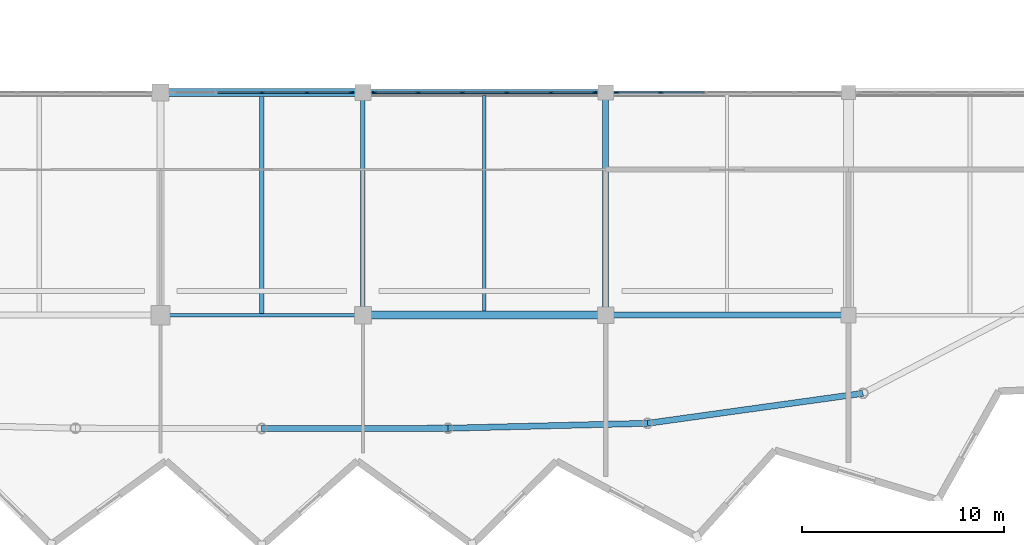
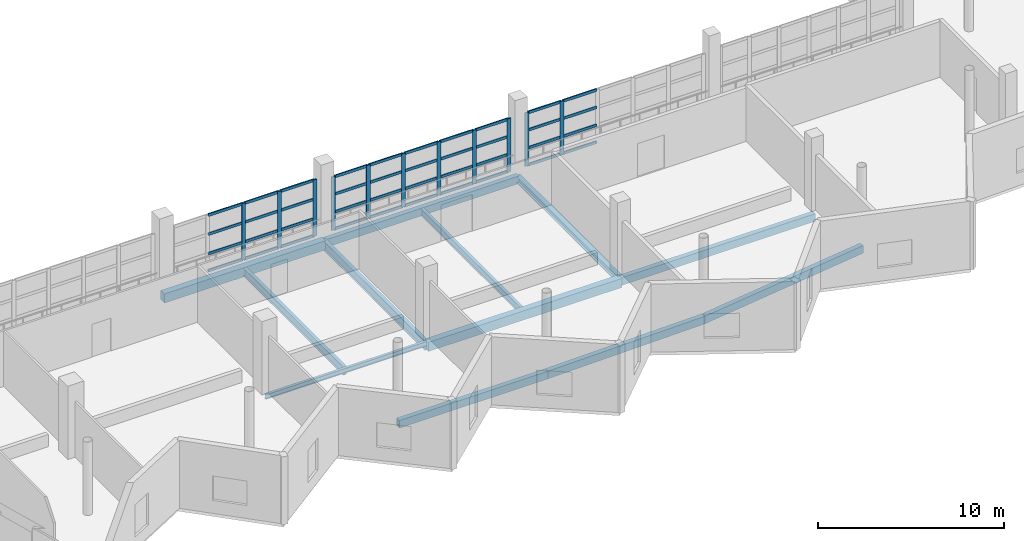
# One storey, part 16 of 53: 51 members, 12 beams, 3 elements without a shape of their own.
"""IFC4 building model written with IfcOpenShell, lengths in metres."""

from ifc_helpers import new_model, si_unit, direction, frame, origin, origin_2d, place, context, subcontext, project, spatial, rectangle, hollow_rectangle, i_section, extrude, material, material_profile, profile_set, type_object, element, aggregate, save


model = new_model("IFC4")

# Units and contexts
model_context = context("Model", 3, precision=1e-05, world=origin(), true_north=direction((0.0, 1.0)))
body_context = subcontext(model_context, "Body", "Model", "MODEL_VIEW")
ifc_project = project(units=[si_unit("LENGTHUNIT", "METRE"), si_unit("AREAUNIT", "SQUARE_METRE"), si_unit("VOLUMEUNIT", "CUBIC_METRE"), si_unit("PLANEANGLEUNIT", "RADIAN"), si_unit("MASSUNIT", "GRAM", prefix="KILO")], contexts=[model_context])

# Site, building, storey
site_placement = place(None, origin())
site = spatial("IfcSite", under=ifc_project, at=site_placement, CompositionType="ELEMENT")
building_placement = place(site_placement, origin())
building = spatial("IfcBuilding", under=site, at=building_placement, Name="Luwafu Chhajja Arena", CompositionType="ELEMENT")
storey_placement = place(building_placement, frame((0.0, 0.0, 19.5)))
storey = spatial("IfcBuildingStorey", under=building, at=storey_placement, Name="L04", CompositionType="ELEMENT", Elevation=19.5)

# Curtain wall, members
ifc_material_1 = material(Name="Anodised bronze aluminium", Category="aluminium")
curtain_wall_type = type_object("IfcCurtainWallType", Name="Media Ribbon Curtain Wall", PredefinedType="USERDEFINED", material=ifc_material_1)
curtain_wall_1_placement = place(storey_placement, origin())
curtain_wall_1 = element("IfcCurtainWall", 1, at=curtain_wall_1_placement, inside=storey, type_object=curtain_wall_type, Name="L04 Bowl Viewing Curtain Wall CWR-L04-04", ObjectType="CURTAIN WALL", PredefinedType="USERDEFINED")
ifc_material_profile_1 = material_profile(ifc_material_1, rectangle(XDim=0.070068359375, YDim=0.239990234375, at=origin_2d()), Name="CWM 70x240")
ifc_profile_set_1 = profile_set([ifc_material_profile_1], Name="Anodised bronze aluminium")
member_type_1 = type_object("IfcMemberType", Name="Bronze Curtain Wall Mullion 70x240", PredefinedType="MULLION", material=ifc_profile_set_1)
member_1_placement = place(storey_placement, frame((99.012451171875, 22.0, 0.0), z_axis=(0.0, 0.0, 1.0), x_axis=(0.0, 1.0, 0.0)))
member_1 = element("IfcMember", 2, at=member_1_placement, type_object=member_type_1, Name="CW-03 mullion 3", PredefinedType="MULLION", context=body_context, shape_type="SweptSolid", body=[
    extrude(rectangle(XDim=0.070068359375, YDim=0.239990234375, at=origin_2d()), origin(), (0.0, 0.0, 1.0), 3.70654296875),
])
member_2_placement = place(storey_placement, frame((101.236328125, 22.0, 0.0), z_axis=(0.0, 0.0, 1.0), x_axis=(0.0, 1.0, 0.0)))
member_2 = element("IfcMember", 3, at=member_2_placement, type_object=member_type_1, Name="CW-03 mullion 4", PredefinedType="MULLION", context=body_context, shape_type="SweptSolid", body=[
    extrude(rectangle(XDim=0.070068359375, YDim=0.239990234375, at=origin_2d()), origin(), (0.0, 0.0, 1.0), 3.70654296875),
])
member_3_placement = place(storey_placement, frame((103.425048828125, 22.0, 0.0), z_axis=(0.0, 0.0, 1.0), x_axis=(0.0, 1.0, 0.0)))
member_3 = element("IfcMember", 4, at=member_3_placement, type_object=member_type_1, Name="CW-03 mullion 5", PredefinedType="MULLION", context=body_context, shape_type="SweptSolid", body=[
    extrude(rectangle(XDim=0.070068359375, YDim=0.239990234375, at=origin_2d()), origin(), (0.0, 0.0, 1.0), 3.70654296875),
])

curtain_wall_2_placement = place(storey_placement, origin())
curtain_wall_2 = element("IfcCurtainWall", 5, at=curtain_wall_2_placement, inside=storey, type_object=curtain_wall_type, Name="L04 Bowl Viewing Curtain Wall CWR-L04-05", ObjectType="CURTAIN WALL", PredefinedType="USERDEFINED")
member_4_placement = place(storey_placement, frame((104.574951171875, 22.0, 0.0), z_axis=(0.0, 0.0, 1.0), x_axis=(0.0, 1.0, 0.0)))
member_4 = element("IfcMember", 6, at=member_4_placement, type_object=member_type_1, Name="CW-03 mullion 1", PredefinedType="MULLION", context=body_context, shape_type="SweptSolid", body=[
    extrude(rectangle(XDim=0.070068359375, YDim=0.239990234375, at=origin_2d()), origin(), (0.0, 0.0, 1.0), 3.489990234375),
])
member_5_placement = place(storey_placement, frame((106.72900390625, 22.0, 0.0), z_axis=(0.0, 0.0, 1.0), x_axis=(0.0, 1.0, 0.0)))
member_5 = element("IfcMember", 7, at=member_5_placement, type_object=member_type_1, Name="CW-03 mullion 2", PredefinedType="MULLION", context=body_context, shape_type="SweptSolid", body=[
    extrude(rectangle(XDim=0.070068359375, YDim=0.239990234375, at=origin_2d()), origin(), (0.0, 0.0, 1.0), 3.489990234375),
])
member_6_placement = place(storey_placement, frame((108.91796875, 22.0, 0.0), z_axis=(0.0, 0.0, 1.0), x_axis=(0.0, 1.0, 0.0)))
member_6 = element("IfcMember", 8, at=member_6_placement, type_object=member_type_1, Name="CW-03 mullion 3", PredefinedType="MULLION", context=body_context, shape_type="SweptSolid", body=[
    extrude(rectangle(XDim=0.070068359375, YDim=0.239990234375, at=origin_2d()), origin(), (0.0, 0.0, 1.0), 3.489990234375),
])
member_7_placement = place(storey_placement, frame((111.10693359375, 22.0, 0.0), z_axis=(0.0, 0.0, 1.0), x_axis=(0.0, 1.0, 0.0)))
member_7 = element("IfcMember", 9, at=member_7_placement, type_object=member_type_1, Name="CW-03 mullion 4", PredefinedType="MULLION", context=body_context, shape_type="SweptSolid", body=[
    extrude(rectangle(XDim=0.070068359375, YDim=0.239990234375, at=origin_2d()), origin(), (0.0, 0.0, 1.0), 3.489990234375),
])
member_8_placement = place(storey_placement, frame((113.2958984375, 22.0, 0.0), z_axis=(0.0, 0.0, 1.0), x_axis=(0.0, 1.0, 0.0)))
member_8 = element("IfcMember", 10, at=member_8_placement, type_object=member_type_1, Name="CW-03 mullion 5", PredefinedType="MULLION", context=body_context, shape_type="SweptSolid", body=[
    extrude(rectangle(XDim=0.070068359375, YDim=0.239990234375, at=origin_2d()), origin(), (0.0, 0.0, 1.0), 3.489990234375),
])
member_9_placement = place(storey_placement, frame((115.449951171875, 22.0, 0.0), z_axis=(0.0, 0.0, 1.0), x_axis=(0.0, 1.0, 0.0)))
member_9 = element("IfcMember", 11, at=member_9_placement, type_object=member_type_1, Name="CW-03 mullion 6", PredefinedType="MULLION", context=body_context, shape_type="SweptSolid", body=[
    extrude(rectangle(XDim=0.070068359375, YDim=0.239990234375, at=origin_2d()), origin(), (0.0, 0.0, 1.0), 3.489990234375),
])

curtain_wall_3_placement = place(storey_placement, origin())
curtain_wall_3 = element("IfcCurtainWall", 12, at=curtain_wall_3_placement, inside=storey, type_object=curtain_wall_type, Name="L04 Bowl Viewing Curtain Wall CWR-L04-06", ObjectType="CURTAIN WALL", PredefinedType="USERDEFINED")
member_10_placement = place(storey_placement, frame((116.550048828125, 22.0, 0.0), z_axis=(0.0, 0.0, 1.0), x_axis=(0.0, 1.0, 0.0)))
member_10 = element("IfcMember", 13, at=member_10_placement, type_object=member_type_1, Name="CW-03 mullion 1", PredefinedType="MULLION", context=body_context, shape_type="SweptSolid", body=[
    extrude(rectangle(XDim=0.070068359375, YDim=0.239990234375, at=origin_2d()), origin(), (0.0, 0.0, 1.0), 3.489990234375),
])
member_11_placement = place(storey_placement, frame((118.714111328125, 22.0, 0.0), z_axis=(0.0, 0.0, 1.0), x_axis=(0.0, 1.0, 0.0)))
member_11 = element("IfcMember", 14, at=member_11_placement, type_object=member_type_1, Name="CW-03 mullion 2", PredefinedType="MULLION", context=body_context, shape_type="SweptSolid", body=[
    extrude(rectangle(XDim=0.070068359375, YDim=0.239990234375, at=origin_2d()), origin(), (0.0, 0.0, 1.0), 3.489990234375),
])

# Member
ifc_material_profile_2 = material_profile(ifc_material_1, rectangle(XDim=0.070068359375, YDim=0.179931640625, at=origin_2d()), Name="CWT 70x180")
ifc_profile_set_2 = profile_set([ifc_material_profile_2], Name="Anodised bronze aluminium")
member_type_2 = type_object("IfcMemberType", Name="Bronze Curtain Wall Transom 70x180", PredefinedType="USERDEFINED", material=ifc_profile_set_2)
member_12_placement = place(storey_placement, frame((96.82373046875, 22.0, 0.034912109375), z_axis=(1.0, 0.0, 0.0), x_axis=(0.0, 1.0, 0.0)))
member_12 = element("IfcMember", 15, at=member_12_placement, type_object=member_type_2, Name="CW-03 transom 2.1", ObjectType="TRANSOM", PredefinedType="USERDEFINED", context=body_context, shape_type="SweptSolid", body=[
    extrude(rectangle(XDim=0.070068359375, YDim=0.179931640625, at=origin_2d()), origin(), (0.0, 0.0, 1.0), 2.15380859375),
])

member_13_placement = place(storey_placement, frame((96.82373046875, 22.0, 1.14990234375), z_axis=(1.0, 0.0, 0.0), x_axis=(0.0, 1.0, 0.0)))
member_13 = element("IfcMember", 16, at=member_13_placement, type_object=member_type_2, Name="CW-03 transom 2.2", ObjectType="TRANSOM", PredefinedType="USERDEFINED", context=body_context, shape_type="SweptSolid", body=[
    extrude(rectangle(XDim=0.070068359375, YDim=0.179931640625, at=origin_2d()), origin(), (0.0, 0.0, 1.0), 2.15380859375),
])

member_14_placement = place(storey_placement, frame((96.82373046875, 22.0, 2.42822265625), z_axis=(1.0, 0.0, 0.0), x_axis=(0.0, 1.0, 0.0)))
member_14 = element("IfcMember", 17, at=member_14_placement, type_object=member_type_2, Name="CW-03 transom 2.3", ObjectType="TRANSOM", PredefinedType="USERDEFINED", context=body_context, shape_type="SweptSolid", body=[
    extrude(rectangle(XDim=0.070068359375, YDim=0.179931640625, at=origin_2d()), origin(), (0.0, 0.0, 1.0), 2.15380859375),
])

member_15_placement = place(storey_placement, frame((96.82373046875, 22.0, 3.67138671875), z_axis=(1.0, 0.0, 0.0), x_axis=(0.0, 1.0, 0.0)))
member_15 = element("IfcMember", 18, at=member_15_placement, type_object=member_type_2, Name="CW-03 transom 2.4", ObjectType="TRANSOM", PredefinedType="USERDEFINED", context=body_context, shape_type="SweptSolid", body=[
    extrude(rectangle(XDim=0.070068359375, YDim=0.179931640625, at=origin_2d()), origin(), (0.0, 0.0, 1.0), 2.15380859375),
])

member_16_placement = place(storey_placement, frame((99.047607421875, 22.0, 0.034912109375), z_axis=(1.0, 0.0, 0.0), x_axis=(0.0, 1.0, 0.0)))
member_16 = element("IfcMember", 19, at=member_16_placement, type_object=member_type_2, Name="CW-03 transom 3.1", ObjectType="TRANSOM", PredefinedType="USERDEFINED", context=body_context, shape_type="SweptSolid", body=[
    extrude(rectangle(XDim=0.070068359375, YDim=0.179931640625, at=origin_2d()), origin(), (0.0, 0.0, 1.0), 2.153564453125),
])

member_17_placement = place(storey_placement, frame((99.047607421875, 22.0, 1.14990234375), z_axis=(1.0, 0.0, 0.0), x_axis=(0.0, 1.0, 0.0)))
member_17 = element("IfcMember", 20, at=member_17_placement, type_object=member_type_2, Name="CW-03 transom 3.2", ObjectType="TRANSOM", PredefinedType="USERDEFINED", context=body_context, shape_type="SweptSolid", body=[
    extrude(rectangle(XDim=0.070068359375, YDim=0.179931640625, at=origin_2d()), origin(), (0.0, 0.0, 1.0), 2.153564453125),
])

member_18_placement = place(storey_placement, frame((99.047607421875, 22.0, 2.42822265625), z_axis=(1.0, 0.0, 0.0), x_axis=(0.0, 1.0, 0.0)))
member_18 = element("IfcMember", 21, at=member_18_placement, type_object=member_type_2, Name="CW-03 transom 3.3", ObjectType="TRANSOM", PredefinedType="USERDEFINED", context=body_context, shape_type="SweptSolid", body=[
    extrude(rectangle(XDim=0.070068359375, YDim=0.179931640625, at=origin_2d()), origin(), (0.0, 0.0, 1.0), 2.153564453125),
])

member_19_placement = place(storey_placement, frame((99.047607421875, 22.0, 3.67138671875), z_axis=(1.0, 0.0, 0.0), x_axis=(0.0, 1.0, 0.0)))
member_19 = element("IfcMember", 22, at=member_19_placement, type_object=member_type_2, Name="CW-03 transom 3.4", ObjectType="TRANSOM", PredefinedType="USERDEFINED", context=body_context, shape_type="SweptSolid", body=[
    extrude(rectangle(XDim=0.070068359375, YDim=0.179931640625, at=origin_2d()), origin(), (0.0, 0.0, 1.0), 2.153564453125),
])

member_20_placement = place(storey_placement, frame((101.271240234375, 22.0, 0.034912109375), z_axis=(1.0, 0.0, 0.0), x_axis=(0.0, 1.0, 0.0)))
member_20 = element("IfcMember", 23, at=member_20_placement, type_object=member_type_2, Name="CW-03 transom 4.1", ObjectType="TRANSOM", PredefinedType="USERDEFINED", context=body_context, shape_type="SweptSolid", body=[
    extrude(rectangle(XDim=0.070068359375, YDim=0.179931640625, at=origin_2d()), origin(), (0.0, 0.0, 1.0), 2.11865234375),
])

member_21_placement = place(storey_placement, frame((101.271240234375, 22.0, 1.14990234375), z_axis=(1.0, 0.0, 0.0), x_axis=(0.0, 1.0, 0.0)))
member_21 = element("IfcMember", 24, at=member_21_placement, type_object=member_type_2, Name="CW-03 transom 4.2", ObjectType="TRANSOM", PredefinedType="USERDEFINED", context=body_context, shape_type="SweptSolid", body=[
    extrude(rectangle(XDim=0.070068359375, YDim=0.179931640625, at=origin_2d()), origin(), (0.0, 0.0, 1.0), 2.11865234375),
])

member_22_placement = place(storey_placement, frame((101.271240234375, 22.0, 2.42822265625), z_axis=(1.0, 0.0, 0.0), x_axis=(0.0, 1.0, 0.0)))
member_22 = element("IfcMember", 25, at=member_22_placement, type_object=member_type_2, Name="CW-03 transom 4.3", ObjectType="TRANSOM", PredefinedType="USERDEFINED", context=body_context, shape_type="SweptSolid", body=[
    extrude(rectangle(XDim=0.070068359375, YDim=0.179931640625, at=origin_2d()), origin(), (0.0, 0.0, 1.0), 2.11865234375),
])

member_23_placement = place(storey_placement, frame((101.271240234375, 22.0, 3.67138671875), z_axis=(1.0, 0.0, 0.0), x_axis=(0.0, 1.0, 0.0)))
member_23 = element("IfcMember", 26, at=member_23_placement, type_object=member_type_2, Name="CW-03 transom 4.4", ObjectType="TRANSOM", PredefinedType="USERDEFINED", context=body_context, shape_type="SweptSolid", body=[
    extrude(rectangle(XDim=0.070068359375, YDim=0.179931640625, at=origin_2d()), origin(), (0.0, 0.0, 1.0), 2.11865234375),
])

aggregate(curtain_wall_1, [member_1, member_2, member_3, member_12, member_13, member_14, member_15, member_16, member_17, member_18, member_19, member_20, member_21, member_22, member_23])

member_24_placement = place(storey_placement, frame((104.610107421875, 22.0, 0.034912109375), z_axis=(1.0, 0.0, 0.0), x_axis=(0.0, 1.0, 0.0)))
member_24 = element("IfcMember", 27, at=member_24_placement, type_object=member_type_2, Name="CW-03 transom 1.1", ObjectType="TRANSOM", PredefinedType="USERDEFINED", context=body_context, shape_type="SweptSolid", body=[
    extrude(rectangle(XDim=0.070068359375, YDim=0.179931640625, at=origin_2d()), origin(), (0.0, 0.0, 1.0), 2.083984375),
])

member_25_placement = place(storey_placement, frame((104.610107421875, 22.0, 1.14990234375), z_axis=(1.0, 0.0, 0.0), x_axis=(0.0, 1.0, 0.0)))
member_25 = element("IfcMember", 28, at=member_25_placement, type_object=member_type_2, Name="CW-03 transom 1.2", ObjectType="TRANSOM", PredefinedType="USERDEFINED", context=body_context, shape_type="SweptSolid", body=[
    extrude(rectangle(XDim=0.070068359375, YDim=0.179931640625, at=origin_2d()), origin(), (0.0, 0.0, 1.0), 2.083984375),
])

member_26_placement = place(storey_placement, frame((104.610107421875, 22.0, 2.320068359375), z_axis=(1.0, 0.0, 0.0), x_axis=(0.0, 1.0, 0.0)))
member_26 = element("IfcMember", 29, at=member_26_placement, type_object=member_type_2, Name="CW-03 transom 1.3", ObjectType="TRANSOM", PredefinedType="USERDEFINED", context=body_context, shape_type="SweptSolid", body=[
    extrude(rectangle(XDim=0.070068359375, YDim=0.179931640625, at=origin_2d()), origin(), (0.0, 0.0, 1.0), 2.083984375),
])

member_27_placement = place(storey_placement, frame((104.610107421875, 22.0, 3.455078125), z_axis=(1.0, 0.0, 0.0), x_axis=(0.0, 1.0, 0.0)))
member_27 = element("IfcMember", 30, at=member_27_placement, type_object=member_type_2, Name="CW-03 transom 1.4", ObjectType="TRANSOM", PredefinedType="USERDEFINED", context=body_context, shape_type="SweptSolid", body=[
    extrude(rectangle(XDim=0.070068359375, YDim=0.179931640625, at=origin_2d()), origin(), (0.0, 0.0, 1.0), 2.083984375),
])

member_28_placement = place(storey_placement, frame((106.763916015625, 22.0, 0.034912109375), z_axis=(1.0, 0.0, 0.0), x_axis=(0.0, 1.0, 0.0)))
member_28 = element("IfcMember", 31, at=member_28_placement, type_object=member_type_2, Name="CW-03 transom 2.1", ObjectType="TRANSOM", PredefinedType="USERDEFINED", context=body_context, shape_type="SweptSolid", body=[
    extrude(rectangle(XDim=0.070068359375, YDim=0.179931640625, at=origin_2d()), origin(), (0.0, 0.0, 1.0), 2.119140625),
])

member_29_placement = place(storey_placement, frame((106.763916015625, 22.0, 1.14990234375), z_axis=(1.0, 0.0, 0.0), x_axis=(0.0, 1.0, 0.0)))
member_29 = element("IfcMember", 32, at=member_29_placement, type_object=member_type_2, Name="CW-03 transom 2.2", ObjectType="TRANSOM", PredefinedType="USERDEFINED", context=body_context, shape_type="SweptSolid", body=[
    extrude(rectangle(XDim=0.070068359375, YDim=0.179931640625, at=origin_2d()), origin(), (0.0, 0.0, 1.0), 2.119140625),
])

member_30_placement = place(storey_placement, frame((106.763916015625, 22.0, 2.320068359375), z_axis=(1.0, 0.0, 0.0), x_axis=(0.0, 1.0, 0.0)))
member_30 = element("IfcMember", 33, at=member_30_placement, type_object=member_type_2, Name="CW-03 transom 2.3", ObjectType="TRANSOM", PredefinedType="USERDEFINED", context=body_context, shape_type="SweptSolid", body=[
    extrude(rectangle(XDim=0.070068359375, YDim=0.179931640625, at=origin_2d()), origin(), (0.0, 0.0, 1.0), 2.119140625),
])

member_31_placement = place(storey_placement, frame((106.763916015625, 22.0, 3.455078125), z_axis=(1.0, 0.0, 0.0), x_axis=(0.0, 1.0, 0.0)))
member_31 = element("IfcMember", 34, at=member_31_placement, type_object=member_type_2, Name="CW-03 transom 2.4", ObjectType="TRANSOM", PredefinedType="USERDEFINED", context=body_context, shape_type="SweptSolid", body=[
    extrude(rectangle(XDim=0.070068359375, YDim=0.179931640625, at=origin_2d()), origin(), (0.0, 0.0, 1.0), 2.119140625),
])

member_32_placement = place(storey_placement, frame((108.952880859375, 22.0, 0.034912109375), z_axis=(1.0, 0.0, 0.0), x_axis=(0.0, 1.0, 0.0)))
member_32 = element("IfcMember", 35, at=member_32_placement, type_object=member_type_2, Name="CW-03 transom 3.1", ObjectType="TRANSOM", PredefinedType="USERDEFINED", context=body_context, shape_type="SweptSolid", body=[
    extrude(rectangle(XDim=0.070068359375, YDim=0.179931640625, at=origin_2d()), origin(), (0.0, 0.0, 1.0), 2.119140625),
])

member_33_placement = place(storey_placement, frame((108.952880859375, 22.0, 1.14990234375), z_axis=(1.0, 0.0, 0.0), x_axis=(0.0, 1.0, 0.0)))
member_33 = element("IfcMember", 36, at=member_33_placement, type_object=member_type_2, Name="CW-03 transom 3.2", ObjectType="TRANSOM", PredefinedType="USERDEFINED", context=body_context, shape_type="SweptSolid", body=[
    extrude(rectangle(XDim=0.070068359375, YDim=0.179931640625, at=origin_2d()), origin(), (0.0, 0.0, 1.0), 2.119140625),
])

member_34_placement = place(storey_placement, frame((108.952880859375, 22.0, 2.320068359375), z_axis=(1.0, 0.0, 0.0), x_axis=(0.0, 1.0, 0.0)))
member_34 = element("IfcMember", 37, at=member_34_placement, type_object=member_type_2, Name="CW-03 transom 3.3", ObjectType="TRANSOM", PredefinedType="USERDEFINED", context=body_context, shape_type="SweptSolid", body=[
    extrude(rectangle(XDim=0.070068359375, YDim=0.179931640625, at=origin_2d()), origin(), (0.0, 0.0, 1.0), 2.119140625),
])

member_35_placement = place(storey_placement, frame((108.952880859375, 22.0, 3.455078125), z_axis=(1.0, 0.0, 0.0), x_axis=(0.0, 1.0, 0.0)))
member_35 = element("IfcMember", 38, at=member_35_placement, type_object=member_type_2, Name="CW-03 transom 3.4", ObjectType="TRANSOM", PredefinedType="USERDEFINED", context=body_context, shape_type="SweptSolid", body=[
    extrude(rectangle(XDim=0.070068359375, YDim=0.179931640625, at=origin_2d()), origin(), (0.0, 0.0, 1.0), 2.119140625),
])

member_36_placement = place(storey_placement, frame((111.14208984375, 22.0, 0.034912109375), z_axis=(1.0, 0.0, 0.0), x_axis=(0.0, 1.0, 0.0)))
member_36 = element("IfcMember", 39, at=member_36_placement, type_object=member_type_2, Name="CW-03 transom 4.1", ObjectType="TRANSOM", PredefinedType="USERDEFINED", context=body_context, shape_type="SweptSolid", body=[
    extrude(rectangle(XDim=0.070068359375, YDim=0.179931640625, at=origin_2d()), origin(), (0.0, 0.0, 1.0), 2.118896484375),
])

member_37_placement = place(storey_placement, frame((111.14208984375, 22.0, 1.14990234375), z_axis=(1.0, 0.0, 0.0), x_axis=(0.0, 1.0, 0.0)))
member_37 = element("IfcMember", 40, at=member_37_placement, type_object=member_type_2, Name="CW-03 transom 4.2", ObjectType="TRANSOM", PredefinedType="USERDEFINED", context=body_context, shape_type="SweptSolid", body=[
    extrude(rectangle(XDim=0.070068359375, YDim=0.179931640625, at=origin_2d()), origin(), (0.0, 0.0, 1.0), 2.118896484375),
])

member_38_placement = place(storey_placement, frame((111.14208984375, 22.0, 2.320068359375), z_axis=(1.0, 0.0, 0.0), x_axis=(0.0, 1.0, 0.0)))
member_38 = element("IfcMember", 41, at=member_38_placement, type_object=member_type_2, Name="CW-03 transom 4.3", ObjectType="TRANSOM", PredefinedType="USERDEFINED", context=body_context, shape_type="SweptSolid", body=[
    extrude(rectangle(XDim=0.070068359375, YDim=0.179931640625, at=origin_2d()), origin(), (0.0, 0.0, 1.0), 2.118896484375),
])

member_39_placement = place(storey_placement, frame((111.14208984375, 22.0, 3.455078125), z_axis=(1.0, 0.0, 0.0), x_axis=(0.0, 1.0, 0.0)))
member_39 = element("IfcMember", 42, at=member_39_placement, type_object=member_type_2, Name="CW-03 transom 4.4", ObjectType="TRANSOM", PredefinedType="USERDEFINED", context=body_context, shape_type="SweptSolid", body=[
    extrude(rectangle(XDim=0.070068359375, YDim=0.179931640625, at=origin_2d()), origin(), (0.0, 0.0, 1.0), 2.118896484375),
])

member_40_placement = place(storey_placement, frame((113.3310546875, 22.0, 0.034912109375), z_axis=(1.0, 0.0, 0.0), x_axis=(0.0, 1.0, 0.0)))
member_40 = element("IfcMember", 43, at=member_40_placement, type_object=member_type_2, Name="CW-03 transom 5.1", ObjectType="TRANSOM", PredefinedType="USERDEFINED", context=body_context, shape_type="SweptSolid", body=[
    extrude(rectangle(XDim=0.070068359375, YDim=0.179931640625, at=origin_2d()), origin(), (0.0, 0.0, 1.0), 2.083984375),
])

member_41_placement = place(storey_placement, frame((113.3310546875, 22.0, 1.14990234375), z_axis=(1.0, 0.0, 0.0), x_axis=(0.0, 1.0, 0.0)))
member_41 = element("IfcMember", 44, at=member_41_placement, type_object=member_type_2, Name="CW-03 transom 5.2", ObjectType="TRANSOM", PredefinedType="USERDEFINED", context=body_context, shape_type="SweptSolid", body=[
    extrude(rectangle(XDim=0.070068359375, YDim=0.179931640625, at=origin_2d()), origin(), (0.0, 0.0, 1.0), 2.083984375),
])

member_42_placement = place(storey_placement, frame((113.3310546875, 22.0, 2.320068359375), z_axis=(1.0, 0.0, 0.0), x_axis=(0.0, 1.0, 0.0)))
member_42 = element("IfcMember", 45, at=member_42_placement, type_object=member_type_2, Name="CW-03 transom 5.3", ObjectType="TRANSOM", PredefinedType="USERDEFINED", context=body_context, shape_type="SweptSolid", body=[
    extrude(rectangle(XDim=0.070068359375, YDim=0.179931640625, at=origin_2d()), origin(), (0.0, 0.0, 1.0), 2.083984375),
])

member_43_placement = place(storey_placement, frame((113.3310546875, 22.0, 3.455078125), z_axis=(1.0, 0.0, 0.0), x_axis=(0.0, 1.0, 0.0)))
member_43 = element("IfcMember", 46, at=member_43_placement, type_object=member_type_2, Name="CW-03 transom 5.4", ObjectType="TRANSOM", PredefinedType="USERDEFINED", context=body_context, shape_type="SweptSolid", body=[
    extrude(rectangle(XDim=0.070068359375, YDim=0.179931640625, at=origin_2d()), origin(), (0.0, 0.0, 1.0), 2.083984375),
])

aggregate(curtain_wall_2, [member_4, member_5, member_6, member_7, member_8, member_9, member_24, member_25, member_26, member_27, member_28, member_29, member_30, member_31, member_32, member_33, member_34, member_35, member_36, member_37, member_38, member_39, member_40, member_41, member_42, member_43])

member_44_placement = place(storey_placement, frame((116.5849609375, 22.0, 0.034912109375), z_axis=(1.0, 0.0, 0.0), x_axis=(0.0, 1.0, 0.0)))
member_44 = element("IfcMember", 47, at=member_44_placement, type_object=member_type_2, Name="CW-03 transom 1.1", ObjectType="TRANSOM", PredefinedType="USERDEFINED", context=body_context, shape_type="SweptSolid", body=[
    extrude(rectangle(XDim=0.070068359375, YDim=0.179931640625, at=origin_2d()), origin(), (0.0, 0.0, 1.0), 2.093994140625),
])

member_45_placement = place(storey_placement, frame((116.5849609375, 22.0, 1.14990234375), z_axis=(1.0, 0.0, 0.0), x_axis=(0.0, 1.0, 0.0)))
member_45 = element("IfcMember", 48, at=member_45_placement, type_object=member_type_2, Name="CW-03 transom 1.2", ObjectType="TRANSOM", PredefinedType="USERDEFINED", context=body_context, shape_type="SweptSolid", body=[
    extrude(rectangle(XDim=0.070068359375, YDim=0.179931640625, at=origin_2d()), origin(), (0.0, 0.0, 1.0), 2.093994140625),
])

member_46_placement = place(storey_placement, frame((116.5849609375, 22.0, 2.320068359375), z_axis=(1.0, 0.0, 0.0), x_axis=(0.0, 1.0, 0.0)))
member_46 = element("IfcMember", 49, at=member_46_placement, type_object=member_type_2, Name="CW-03 transom 1.3", ObjectType="TRANSOM", PredefinedType="USERDEFINED", context=body_context, shape_type="SweptSolid", body=[
    extrude(rectangle(XDim=0.070068359375, YDim=0.179931640625, at=origin_2d()), origin(), (0.0, 0.0, 1.0), 2.093994140625),
])

member_47_placement = place(storey_placement, frame((116.5849609375, 22.0, 3.455078125), z_axis=(1.0, 0.0, 0.0), x_axis=(0.0, 1.0, 0.0)))
member_47 = element("IfcMember", 50, at=member_47_placement, type_object=member_type_2, Name="CW-03 transom 1.4", ObjectType="TRANSOM", PredefinedType="USERDEFINED", context=body_context, shape_type="SweptSolid", body=[
    extrude(rectangle(XDim=0.070068359375, YDim=0.179931640625, at=origin_2d()), origin(), (0.0, 0.0, 1.0), 2.093994140625),
])

member_48_placement = place(storey_placement, frame((118.7490234375, 22.0, 0.034912109375), z_axis=(1.0, 0.0, 0.0), x_axis=(0.0, 1.0, 0.0)))
member_48 = element("IfcMember", 51, at=member_48_placement, type_object=member_type_2, Name="CW-03 transom 2.1", ObjectType="TRANSOM", PredefinedType="USERDEFINED", context=body_context, shape_type="SweptSolid", body=[
    extrude(rectangle(XDim=0.070068359375, YDim=0.179931640625, at=origin_2d()), origin(), (0.0, 0.0, 1.0), 2.12890625),
])

member_49_placement = place(storey_placement, frame((118.7490234375, 22.0, 1.14990234375), z_axis=(1.0, 0.0, 0.0), x_axis=(0.0, 1.0, 0.0)))
member_49 = element("IfcMember", 52, at=member_49_placement, type_object=member_type_2, Name="CW-03 transom 2.2", ObjectType="TRANSOM", PredefinedType="USERDEFINED", context=body_context, shape_type="SweptSolid", body=[
    extrude(rectangle(XDim=0.070068359375, YDim=0.179931640625, at=origin_2d()), origin(), (0.0, 0.0, 1.0), 2.12890625),
])

member_50_placement = place(storey_placement, frame((118.7490234375, 22.0, 2.320068359375), z_axis=(1.0, 0.0, 0.0), x_axis=(0.0, 1.0, 0.0)))
member_50 = element("IfcMember", 53, at=member_50_placement, type_object=member_type_2, Name="CW-03 transom 2.3", ObjectType="TRANSOM", PredefinedType="USERDEFINED", context=body_context, shape_type="SweptSolid", body=[
    extrude(rectangle(XDim=0.070068359375, YDim=0.179931640625, at=origin_2d()), origin(), (0.0, 0.0, 1.0), 2.12890625),
])

member_51_placement = place(storey_placement, frame((118.7490234375, 22.0, 3.455078125), z_axis=(1.0, 0.0, 0.0), x_axis=(0.0, 1.0, 0.0)))
member_51 = element("IfcMember", 54, at=member_51_placement, type_object=member_type_2, Name="CW-03 transom 2.4", ObjectType="TRANSOM", PredefinedType="USERDEFINED", context=body_context, shape_type="SweptSolid", body=[
    extrude(rectangle(XDim=0.070068359375, YDim=0.179931640625, at=origin_2d()), origin(), (0.0, 0.0, 1.0), 2.12890625),
])

aggregate(curtain_wall_3, [member_10, member_11, member_44, member_45, member_46, member_47, member_48, member_49, member_50, member_51])

# Beams
ifc_material_2 = material(Name="Steel S355", Category="steel")
ifc_material_profile_3 = material_profile(ifc_material_2, i_section(OverallWidth=0.165771484375, OverallDepth=0.306640625, WebThickness=0.006591796875, FlangeThickness=0.01171875, at=origin_2d()), Name="UB 305x165x46")
ifc_profile_set_3 = profile_set([ifc_material_profile_3], Name="Steel S355")
beam_type_1 = type_object("IfcBeamType", Name="Concourse Edge Spandrel Beam UB 305x165x46", PredefinedType="SPANDREL", material=ifc_profile_set_3)
beam_1_placement = place(storey_placement, frame((94.0, 11.0, -0.543212890625), z_axis=(1.0, 0.0, 0.0), x_axis=(0.0, 1.0, 0.0)))
element("IfcBeam", 55, at=beam_1_placement, inside=storey, type_object=beam_type_1, Name="L04 Grid Beam 9-10/B", PredefinedType="SPANDREL", context=body_context, shape_type="SweptSolid", body=[
    extrude(i_section(OverallWidth=0.165771484375, OverallDepth=0.306640625, WebThickness=0.006591796875, FlangeThickness=0.01171875, at=origin_2d()), origin(), (0.0, 0.0, 1.0), 10.0),
])
ifc_material_profile_4 = material_profile(ifc_material_2, i_section(OverallWidth=0.19140625, OverallDepth=0.4599609375, WebThickness=0.010009765625, FlangeThickness=0.01611328125, at=origin_2d()), Name="UB 457x191x82")
ifc_profile_set_4 = profile_set([ifc_material_profile_4], Name="Steel S355")
beam_type_2 = type_object("IfcBeamType", Name="Floor Joist UB 457x191x82", PredefinedType="JOIST", material=ifc_profile_set_4)
beam_2_placement = place(storey_placement, frame((110.0, 11.199951171875, -0.6201171875), z_axis=(0.0, 1.0, 0.0), x_axis=(-1.0, 0.0, 0.0)))
element("IfcBeam", 56, at=beam_2_placement, inside=storey, type_object=beam_type_2, Name="L04 Secondary Joist 10-11/B", PredefinedType="JOIST", context=body_context, shape_type="SweptSolid", body=[
    extrude(i_section(OverallWidth=0.19140625, OverallDepth=0.4599609375, WebThickness=0.010009765625, FlangeThickness=0.01611328125, at=origin_2d()), origin(), (0.0, 0.0, 1.0), 10.650146484375),
])
ifc_material_profile_5 = material_profile(ifc_material_2, i_section(OverallWidth=0.209228515625, OverallDepth=0.533203125, WebThickness=0.010009765625, FlangeThickness=0.015625, at=origin_2d()), Name="UB 533x210x92")
ifc_profile_set_5 = profile_set([ifc_material_profile_5], Name="Steel S355")
beam_type_3 = type_object("IfcBeamType", Name="Floor Joist UB 533x210x92", PredefinedType="JOIST", material=ifc_profile_set_5)
beam_3_placement = place(storey_placement, frame((99.0, 11.0830078125, -0.656494140625), z_axis=(0.0, 1.0, 0.0), x_axis=(-1.0, 0.0, 0.0)))
element("IfcBeam", 57, at=beam_3_placement, inside=storey, type_object=beam_type_3, Name="L04 Secondary Joist 9-10/B", PredefinedType="JOIST", context=body_context, shape_type="SweptSolid", body=[
    extrude(i_section(OverallWidth=0.209228515625, OverallDepth=0.533203125, WebThickness=0.010009765625, FlangeThickness=0.015625, at=origin_2d()), origin(), (0.0, 0.0, 1.0), 10.717041015625),
])
ifc_material_profile_6 = material_profile(ifc_material_2, hollow_rectangle(XDim=0.300048828125, YDim=0.5, WallThickness=0.02001953125, at=origin_2d()), Name="RHS 500x300x20")
ifc_profile_set_6 = profile_set([ifc_material_profile_6], Name="Steel S355")
beam_type_4 = type_object("IfcBeamType", Name="Pleated Drum Spandrel Beam RHS 500x300", PredefinedType="SPANDREL", material=ifc_profile_set_6)
for number, where, z_axis, x_axis, name in (
    (58, (104.0, 22.0, -0.639892578125), (1.0, 0.0, 0.0), (0.0, 1.0, 0.0), "L04 Grid Beam 10-11/C"),
    (59, (116.0, 11.0, -0.639892578125), (1.0, 0.0, 0.0), (0.0, 1.0, 0.0), "L04 Grid Beam 11-12/B"),
):
    element("IfcBeam", number, at=place(storey_placement, frame(where, z_axis=z_axis, x_axis=x_axis)), inside=storey, type_object=beam_type_4, Name=name, PredefinedType="SPANDREL", context=body_context, shape_type="SweptSolid", body=[
        extrude(hollow_rectangle(XDim=0.300048828125, YDim=0.5, WallThickness=0.02001953125, at=origin_2d()), origin(), (0.0, 0.0, 1.0), 12.0),
    ])
beam_4_placement = place(storey_placement, frame((99.0, 5.39990234375, -0.639892578125), z_axis=(0.999999155928, 0.001299285621, 0.0), x_axis=(-0.001299285621, 0.999999155928, 0.0)))
element("IfcBeam", 60, at=beam_4_placement, inside=storey, type_object=beam_type_4, Name="L04 Drum Ring Spandrel D25-D26", PredefinedType="SPANDREL", context=body_context, shape_type="SweptSolid", body=[
    extrude(hollow_rectangle(XDim=0.300048828125, YDim=0.5, WallThickness=0.02001953125, at=origin_2d()), origin(), (0.0, 0.0, 1.0), 9.207275390625),
])
beam_5_placement = place(storey_placement, frame((108.207275390625, 5.411865234375, -0.639892578125), z_axis=(0.999695420837, 0.024679253567, 0.0), x_axis=(-0.024679253567, 0.999695420837, 0.0)))
element("IfcBeam", 61, at=beam_5_placement, inside=storey, type_object=beam_type_4, Name="L04 Drum Ring Spandrel D26-D27", PredefinedType="SPANDREL", context=body_context, shape_type="SweptSolid", body=[
    extrude(hollow_rectangle(XDim=0.300048828125, YDim=0.5, WallThickness=0.02001953125, at=origin_2d()), origin(), (0.0, 0.0, 1.0), 9.86279296875),
])
beam_6_placement = place(storey_placement, frame((118.067138671875, 5.6552734375, -0.639892578125), z_axis=(0.990458730054, 0.137809666058, 0.0), x_axis=(-0.137809666058, 0.990458730054, 0.0)))
element("IfcBeam", 62, at=beam_6_placement, inside=storey, type_object=beam_type_4, Name="L04 Drum Ring Spandrel D27-D28", PredefinedType="SPANDREL", context=body_context, shape_type="SweptSolid", body=[
    extrude(hollow_rectangle(XDim=0.300048828125, YDim=0.5, WallThickness=0.02001953125, at=origin_2d()), origin(), (0.0, 0.0, 1.0), 10.75341796875),
])
ifc_material_3 = material(Name="Concrete C35/45", Category="concrete")
ifc_material_profile_7 = material_profile(ifc_material_3, rectangle(XDim=0.39990234375, YDim=0.60009765625, at=origin_2d()), Name="RC 400x600")
ifc_profile_set_7 = profile_set([ifc_material_profile_7], Name="Concrete C35/45")
beam_type_5 = type_object("IfcBeamType", Name="Podium Perimeter Spandrel RC 400x600", PredefinedType="SPANDREL", material=ifc_profile_set_7)
beam_7_placement = place(storey_placement, frame((94.0, 22.0, -0.68994140625), z_axis=(1.0, 0.0, 0.0), x_axis=(0.0, 1.0, 0.0)))
element("IfcBeam", 63, at=beam_7_placement, inside=storey, type_object=beam_type_5, Name="L04 Grid Beam 9-10/C", PredefinedType="SPANDREL", context=body_context, shape_type="SweptSolid", body=[
    extrude(rectangle(XDim=0.39990234375, YDim=0.60009765625, at=origin_2d()), origin(), (0.0, 0.0, 1.0), 10.0),
])
beam_8_placement = place(storey_placement, frame((104.0, 11.0, -0.68994140625), z_axis=(1.0, 0.0, 0.0), x_axis=(0.0, 1.0, 0.0)))
element("IfcBeam", 64, at=beam_8_placement, inside=storey, type_object=beam_type_5, Name="L04 Grid Beam 10-11/B", PredefinedType="SPANDREL", context=body_context, shape_type="SweptSolid", body=[
    extrude(rectangle(XDim=0.39990234375, YDim=0.60009765625, at=origin_2d()), origin(), (0.0, 0.0, 1.0), 12.0),
])
ifc_material_profile_8 = material_profile(ifc_material_2, i_section(OverallWidth=0.22900390625, OverallDepth=0.6123046875, WebThickness=0.011962890625, FlangeThickness=0.01953125, at=origin_2d()), Name="UB 610x229x125")
ifc_profile_set_8 = profile_set([ifc_material_profile_8], Name="Steel S355")
beam_type_6 = type_object("IfcBeamType", Name="Steel Mezzanine Girder UB 610x229x125", PredefinedType="BEAM", material=ifc_profile_set_8)
beam_9_placement = place(storey_placement, frame((104.0, 11.0, -0.696044921875), z_axis=(0.0, 1.0, 0.0), x_axis=(-1.0, 0.0, 0.0)))
element("IfcBeam", 65, at=beam_9_placement, inside=storey, type_object=beam_type_6, Name="L04 Grid Beam 10/B-C", PredefinedType="BEAM", context=body_context, shape_type="SweptSolid", body=[
    extrude(i_section(OverallWidth=0.22900390625, OverallDepth=0.6123046875, WebThickness=0.011962890625, FlangeThickness=0.01953125, at=origin_2d()), origin(), (0.0, 0.0, 1.0), 11.0),
])
ifc_material_profile_9 = material_profile(ifc_material_2, i_section(OverallWidth=0.300048828125, OverallDepth=0.39990234375, WebThickness=0.013427734375, FlangeThickness=0.02392578125, at=origin_2d()), Name="HEB 400")
ifc_profile_set_9 = profile_set([ifc_material_profile_9], Name="Steel S355")
beam_type_7 = type_object("IfcBeamType", Name="Steel Rigging Grid Beam HEB 400", PredefinedType="BEAM", material=ifc_profile_set_9)
beam_10_placement = place(storey_placement, frame((116.0, 11.0, -0.590087890625), z_axis=(0.0, 1.0, 0.0), x_axis=(-1.0, 0.0, 0.0)))
element("IfcBeam", 66, at=beam_10_placement, inside=storey, type_object=beam_type_7, Name="L04 Grid Beam 11/B-C", PredefinedType="BEAM", context=body_context, shape_type="SweptSolid", body=[
    extrude(i_section(OverallWidth=0.300048828125, OverallDepth=0.39990234375, WebThickness=0.013427734375, FlangeThickness=0.02392578125, at=origin_2d()), origin(), (0.0, 0.0, 1.0), 11.0),
])

save(model, "model.ifc")
